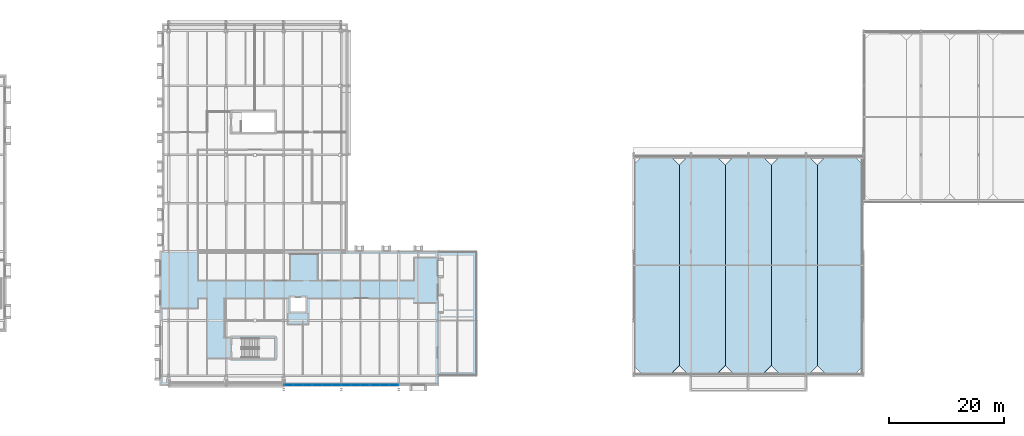
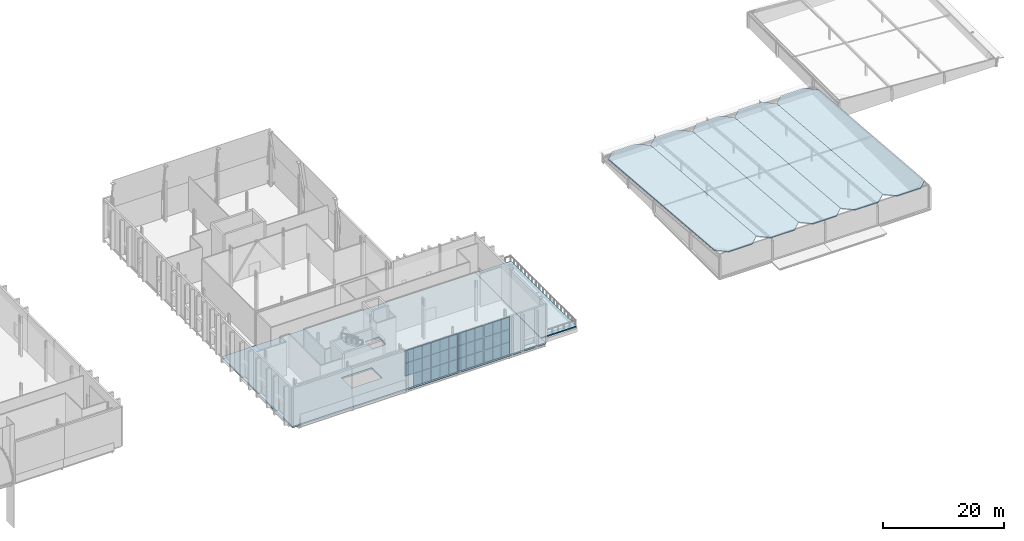
# One storey, part 41 of 79: 35 plates, 7 slabs, 5 elements without a shape of their own.
"""IFC4 building model written with IfcOpenShell, lengths in metres."""

from ifc_helpers import new_model, si_unit, direction, frame, origin, origin_2d, place, context, subcontext, project, spatial, polyline, rectangle, outline, extrude, material, layer, layer_set, type_object, element, aggregate, save


model = new_model("IFC4")

# Units and contexts
model_context = context("Model", 3, precision=1e-05, world=origin(), true_north=direction((0.0, 1.0)))
body_context = subcontext(model_context, "Body", "Model", "MODEL_VIEW")
ifc_project = project(units=[si_unit("LENGTHUNIT", "METRE"), si_unit("AREAUNIT", "SQUARE_METRE"), si_unit("VOLUMEUNIT", "CUBIC_METRE"), si_unit("PLANEANGLEUNIT", "RADIAN"), si_unit("MASSUNIT", "GRAM", prefix="KILO")], contexts=[model_context])

# Site, building, storey
site_placement = place(None, origin())
site = spatial("IfcSite", under=ifc_project, at=site_placement, CompositionType="ELEMENT")
building_placement = place(site_placement, origin())
building = spatial("IfcBuilding", under=site, at=building_placement, Name="Zereglee Splitstone Museum", CompositionType="ELEMENT")
storey_placement = place(building_placement, frame((0.0, 0.0, 9.0)))
storey = spatial("IfcBuildingStorey", under=building, at=storey_placement, Name="L02", CompositionType="ELEMENT", Elevation=9.0)

# Curtain wall, plates
ifc_material_1 = material(Name="Triple-glazed low-E argon glass and bronze-anodised aluminium", Category="aluminium")
ifc_layer_1 = layer(ifc_material_1, 0.219970703125)
ifc_layer_set_1 = layer_set([ifc_layer_1], Name="Triple-glazed low-E argon glass and bronze-anodised aluminium")
curtain_wall_type_1 = type_object("IfcCurtainWallType", Name="CW-0496-780", PredefinedType="USERDEFINED", material=ifc_layer_set_1)
curtain_wall_1_placement = place(storey_placement, origin())
curtain_wall_1 = element("IfcCurtainWall", 1, at=curtain_wall_1_placement, inside=storey, type_object=curtain_wall_type_1, Name="Glazed Curtain Wall CW-0496-780 (L02)", ObjectType="GLAZED CURTAIN WALL", PredefinedType="USERDEFINED")
ifc_material_2 = material(Name="Triple low-e argon insulated safety glass", Category="glass")
ifc_layer_2 = layer(ifc_material_2, 0.035888671875)
ifc_layer_set_2 = layer_set([ifc_layer_2], Name="Triple low-e argon insulated safety glass")
plate_type = type_object("IfcPlateType", Name="CWP-01", PredefinedType="CURTAIN_PANEL", material=ifc_layer_set_2)
plate_1_placement = place(storey_placement, frame((196.04541015625, -1.60009765625, 2.637451171875), z_axis=(0.0, 0.0, 1.0), x_axis=(1.0, 0.0, 0.0)))
plate_1 = element("IfcPlate", 2, at=plate_1_placement, type_object=plate_type, Name="CW-0496-780 panel 1.2", PredefinedType="CURTAIN_PANEL", context=body_context, shape_type="SweptSolid", body=[
    extrude(rectangle(XDim=1.540771484375, YDim=0.035888671875, at=origin_2d()), origin(), (0.0, 0.0, 1.0), 2.52490234375),
])
plate_2_placement = place(storey_placement, frame((196.04541015625, -1.60009765625, 5.2373046875), z_axis=(0.0, 0.0, 1.0), x_axis=(1.0, 0.0, 0.0)))
plate_2 = element("IfcPlate", 3, at=plate_2_placement, type_object=plate_type, Name="CW-0496-780 panel 1.3", PredefinedType="CURTAIN_PANEL", context=body_context, shape_type="SweptSolid", body=[
    extrude(rectangle(XDim=1.540771484375, YDim=0.035888671875, at=origin_2d()), origin(), (0.0, 0.0, 1.0), 2.487548828125),
])
plate_3_placement = place(storey_placement, frame((197.679931640625, -1.60009765625, 0.0751953125), z_axis=(0.0, 0.0, 1.0), x_axis=(1.0, 0.0, 0.0)))
plate_3 = element("IfcPlate", 4, at=plate_3_placement, type_object=plate_type, Name="CW-0496-780 panel 2.1", PredefinedType="CURTAIN_PANEL", context=body_context, shape_type="SweptSolid", body=[
    extrude(rectangle(XDim=1.578369140625, YDim=0.035888671875, at=origin_2d()), origin(), (0.0, 0.0, 1.0), 2.487548828125),
])
plate_4_placement = place(storey_placement, frame((197.679931640625, -1.60009765625, 2.637451171875), z_axis=(0.0, 0.0, 1.0), x_axis=(1.0, 0.0, 0.0)))
plate_4 = element("IfcPlate", 5, at=plate_4_placement, type_object=plate_type, Name="CW-0496-780 panel 2.2", PredefinedType="CURTAIN_PANEL", context=body_context, shape_type="SweptSolid", body=[
    extrude(rectangle(XDim=1.578369140625, YDim=0.035888671875, at=origin_2d()), origin(), (0.0, 0.0, 1.0), 2.52490234375),
])
plate_5_placement = place(storey_placement, frame((197.679931640625, -1.60009765625, 5.2373046875), z_axis=(0.0, 0.0, 1.0), x_axis=(1.0, 0.0, 0.0)))
plate_5 = element("IfcPlate", 6, at=plate_5_placement, type_object=plate_type, Name="CW-0496-780 panel 2.3", PredefinedType="CURTAIN_PANEL", context=body_context, shape_type="SweptSolid", body=[
    extrude(rectangle(XDim=1.578369140625, YDim=0.035888671875, at=origin_2d()), origin(), (0.0, 0.0, 1.0), 2.487548828125),
])
plate_6_placement = place(storey_placement, frame((199.314697265625, -1.60009765625, 0.0751953125), z_axis=(0.0, 0.0, 1.0), x_axis=(1.0, 0.0, 0.0)))
plate_6 = element("IfcPlate", 7, at=plate_6_placement, type_object=plate_type, Name="CW-0496-780 panel 3.1", PredefinedType="CURTAIN_PANEL", context=body_context, shape_type="SweptSolid", body=[
    extrude(rectangle(XDim=1.540771484375, YDim=0.035888671875, at=origin_2d()), origin(), (0.0, 0.0, 1.0), 2.487548828125),
])
plate_7_placement = place(storey_placement, frame((199.314697265625, -1.60009765625, 2.637451171875), z_axis=(0.0, 0.0, 1.0), x_axis=(1.0, 0.0, 0.0)))
plate_7 = element("IfcPlate", 8, at=plate_7_placement, type_object=plate_type, Name="CW-0496-780 panel 3.2", PredefinedType="CURTAIN_PANEL", context=body_context, shape_type="SweptSolid", body=[
    extrude(rectangle(XDim=1.540771484375, YDim=0.035888671875, at=origin_2d()), origin(), (0.0, 0.0, 1.0), 2.52490234375),
])
plate_8_placement = place(storey_placement, frame((199.314697265625, -1.60009765625, 5.2373046875), z_axis=(0.0, 0.0, 1.0), x_axis=(1.0, 0.0, 0.0)))
plate_8 = element("IfcPlate", 9, at=plate_8_placement, type_object=plate_type, Name="CW-0496-780 panel 3.3", PredefinedType="CURTAIN_PANEL", context=body_context, shape_type="SweptSolid", body=[
    extrude(rectangle(XDim=1.540771484375, YDim=0.035888671875, at=origin_2d()), origin(), (0.0, 0.0, 1.0), 2.487548828125),
])
aggregate(curtain_wall_1, [plate_1, plate_2, plate_3, plate_4, plate_5, plate_6, plate_7, plate_8])

ifc_layer_3 = layer(ifc_material_1, 0.219970703125)
ifc_layer_set_3 = layer_set([ifc_layer_3], Name="Triple-glazed low-E argon glass and bronze-anodised aluminium")
curtain_wall_type_2 = type_object("IfcCurtainWallType", Name="CW-0496-778", PredefinedType="USERDEFINED", material=ifc_layer_set_3)
curtain_wall_2_placement = place(storey_placement, origin())
curtain_wall_2 = element("IfcCurtainWall", 10, at=curtain_wall_2_placement, inside=storey, type_object=curtain_wall_type_2, Name="Glazed Curtain Wall CW-0496-778 (L02)", ObjectType="GLAZED CURTAIN WALL", PredefinedType="USERDEFINED")
plate_9_placement = place(storey_placement, frame((201.08544921875, -1.60009765625, 0.0751953125), z_axis=(0.0, 0.0, 1.0), x_axis=(1.0, 0.0, 0.0)))
plate_9 = element("IfcPlate", 11, at=plate_9_placement, type_object=plate_type, Name="CW-0496-778 panel 1.1", PredefinedType="CURTAIN_PANEL", context=body_context, shape_type="SweptSolid", body=[
    extrude(rectangle(XDim=1.540771484375, YDim=0.035888671875, at=origin_2d()), origin(), (0.0, 0.0, 1.0), 2.480712890625),
])
plate_10_placement = place(storey_placement, frame((201.08544921875, -1.60009765625, 2.630859375), z_axis=(0.0, 0.0, 1.0), x_axis=(1.0, 0.0, 0.0)))
plate_10 = element("IfcPlate", 12, at=plate_10_placement, type_object=plate_type, Name="CW-0496-778 panel 1.2", PredefinedType="CURTAIN_PANEL", context=body_context, shape_type="SweptSolid", body=[
    extrude(rectangle(XDim=1.540771484375, YDim=0.035888671875, at=origin_2d()), origin(), (0.0, 0.0, 1.0), 2.518310546875),
])
plate_11_placement = place(storey_placement, frame((201.08544921875, -1.60009765625, 5.22412109375), z_axis=(0.0, 0.0, 1.0), x_axis=(1.0, 0.0, 0.0)))
plate_11 = element("IfcPlate", 13, at=plate_11_placement, type_object=plate_type, Name="CW-0496-778 panel 1.3", PredefinedType="CURTAIN_PANEL", context=body_context, shape_type="SweptSolid", body=[
    extrude(rectangle(XDim=1.540771484375, YDim=0.035888671875, at=origin_2d()), origin(), (0.0, 0.0, 1.0), 2.480712890625),
])
plate_12_placement = place(storey_placement, frame((202.719970703125, -1.60009765625, 0.0751953125), z_axis=(0.0, 0.0, 1.0), x_axis=(1.0, 0.0, 0.0)))
plate_12 = element("IfcPlate", 14, at=plate_12_placement, type_object=plate_type, Name="CW-0496-778 panel 2.1", PredefinedType="CURTAIN_PANEL", context=body_context, shape_type="SweptSolid", body=[
    extrude(rectangle(XDim=1.578369140625, YDim=0.035888671875, at=origin_2d()), origin(), (0.0, 0.0, 1.0), 2.480712890625),
])
plate_13_placement = place(storey_placement, frame((202.719970703125, -1.60009765625, 2.630859375), z_axis=(0.0, 0.0, 1.0), x_axis=(1.0, 0.0, 0.0)))
plate_13 = element("IfcPlate", 15, at=plate_13_placement, type_object=plate_type, Name="CW-0496-778 panel 2.2", PredefinedType="CURTAIN_PANEL", context=body_context, shape_type="SweptSolid", body=[
    extrude(rectangle(XDim=1.578369140625, YDim=0.035888671875, at=origin_2d()), origin(), (0.0, 0.0, 1.0), 2.518310546875),
])
plate_14_placement = place(storey_placement, frame((202.719970703125, -1.60009765625, 5.22412109375), z_axis=(0.0, 0.0, 1.0), x_axis=(1.0, 0.0, 0.0)))
plate_14 = element("IfcPlate", 16, at=plate_14_placement, type_object=plate_type, Name="CW-0496-778 panel 2.3", PredefinedType="CURTAIN_PANEL", context=body_context, shape_type="SweptSolid", body=[
    extrude(rectangle(XDim=1.578369140625, YDim=0.035888671875, at=origin_2d()), origin(), (0.0, 0.0, 1.0), 2.480712890625),
])
plate_15_placement = place(storey_placement, frame((204.3544921875, -1.60009765625, 0.0751953125), z_axis=(0.0, 0.0, 1.0), x_axis=(1.0, 0.0, 0.0)))
plate_15 = element("IfcPlate", 17, at=plate_15_placement, type_object=plate_type, Name="CW-0496-778 panel 3.1", PredefinedType="CURTAIN_PANEL", context=body_context, shape_type="SweptSolid", body=[
    extrude(rectangle(XDim=1.540771484375, YDim=0.035888671875, at=origin_2d()), origin(), (0.0, 0.0, 1.0), 2.480712890625),
])
plate_16_placement = place(storey_placement, frame((204.3544921875, -1.60009765625, 2.630859375), z_axis=(0.0, 0.0, 1.0), x_axis=(1.0, 0.0, 0.0)))
plate_16 = element("IfcPlate", 18, at=plate_16_placement, type_object=plate_type, Name="CW-0496-778 panel 3.2", PredefinedType="CURTAIN_PANEL", context=body_context, shape_type="SweptSolid", body=[
    extrude(rectangle(XDim=1.540771484375, YDim=0.035888671875, at=origin_2d()), origin(), (0.0, 0.0, 1.0), 2.518310546875),
])
plate_17_placement = place(storey_placement, frame((204.3544921875, -1.60009765625, 5.22412109375), z_axis=(0.0, 0.0, 1.0), x_axis=(1.0, 0.0, 0.0)))
plate_17 = element("IfcPlate", 19, at=plate_17_placement, type_object=plate_type, Name="CW-0496-778 panel 3.3", PredefinedType="CURTAIN_PANEL", context=body_context, shape_type="SweptSolid", body=[
    extrude(rectangle(XDim=1.540771484375, YDim=0.035888671875, at=origin_2d()), origin(), (0.0, 0.0, 1.0), 2.480712890625),
])
aggregate(curtain_wall_2, [plate_9, plate_10, plate_11, plate_12, plate_13, plate_14, plate_15, plate_16, plate_17])

ifc_layer_4 = layer(ifc_material_1, 0.219970703125)
ifc_layer_set_4 = layer_set([ifc_layer_4], Name="Triple-glazed low-E argon glass and bronze-anodised aluminium")
curtain_wall_type_3 = type_object("IfcCurtainWallType", Name="CW-0496-774", PredefinedType="USERDEFINED", material=ifc_layer_set_4)
curtain_wall_3_placement = place(storey_placement, origin())
curtain_wall_3 = element("IfcCurtainWall", 20, at=curtain_wall_3_placement, inside=storey, type_object=curtain_wall_type_3, Name="Glazed Curtain Wall CW-0496-774 (L02)", ObjectType="GLAZED CURTAIN WALL", PredefinedType="USERDEFINED")
plate_18_placement = place(storey_placement, frame((206.04541015625, -1.60009765625, 0.0751953125), z_axis=(0.0, 0.0, 1.0), x_axis=(1.0, 0.0, 0.0)))
plate_18 = element("IfcPlate", 21, at=plate_18_placement, type_object=plate_type, Name="CW-0496-774 panel 1.1", PredefinedType="CURTAIN_PANEL", context=body_context, shape_type="SweptSolid", body=[
    extrude(rectangle(XDim=1.540771484375, YDim=0.035888671875, at=origin_2d()), origin(), (0.0, 0.0, 1.0), 2.467529296875),
])
plate_19_placement = place(storey_placement, frame((206.04541015625, -1.60009765625, 2.61767578125), z_axis=(0.0, 0.0, 1.0), x_axis=(1.0, 0.0, 0.0)))
plate_19 = element("IfcPlate", 22, at=plate_19_placement, type_object=plate_type, Name="CW-0496-774 panel 1.2", PredefinedType="CURTAIN_PANEL", context=body_context, shape_type="SweptSolid", body=[
    extrude(rectangle(XDim=1.540771484375, YDim=0.035888671875, at=origin_2d()), origin(), (0.0, 0.0, 1.0), 2.5048828125),
])
plate_20_placement = place(storey_placement, frame((206.04541015625, -1.60009765625, 5.197265625), z_axis=(0.0, 0.0, 1.0), x_axis=(1.0, 0.0, 0.0)))
plate_20 = element("IfcPlate", 23, at=plate_20_placement, type_object=plate_type, Name="CW-0496-774 panel 1.3", PredefinedType="CURTAIN_PANEL", context=body_context, shape_type="SweptSolid", body=[
    extrude(rectangle(XDim=1.540771484375, YDim=0.035888671875, at=origin_2d()), origin(), (0.0, 0.0, 1.0), 2.467529296875),
])
plate_21_placement = place(storey_placement, frame((207.679931640625, -1.60009765625, 0.0751953125), z_axis=(0.0, 0.0, 1.0), x_axis=(1.0, 0.0, 0.0)))
plate_21 = element("IfcPlate", 24, at=plate_21_placement, type_object=plate_type, Name="CW-0496-774 panel 2.1", PredefinedType="CURTAIN_PANEL", context=body_context, shape_type="SweptSolid", body=[
    extrude(rectangle(XDim=1.578369140625, YDim=0.035888671875, at=origin_2d()), origin(), (0.0, 0.0, 1.0), 2.467529296875),
])
plate_22_placement = place(storey_placement, frame((207.679931640625, -1.60009765625, 2.61767578125), z_axis=(0.0, 0.0, 1.0), x_axis=(1.0, 0.0, 0.0)))
plate_22 = element("IfcPlate", 25, at=plate_22_placement, type_object=plate_type, Name="CW-0496-774 panel 2.2", PredefinedType="CURTAIN_PANEL", context=body_context, shape_type="SweptSolid", body=[
    extrude(rectangle(XDim=1.578369140625, YDim=0.035888671875, at=origin_2d()), origin(), (0.0, 0.0, 1.0), 2.5048828125),
])
plate_23_placement = place(storey_placement, frame((207.679931640625, -1.60009765625, 5.197265625), z_axis=(0.0, 0.0, 1.0), x_axis=(1.0, 0.0, 0.0)))
plate_23 = element("IfcPlate", 26, at=plate_23_placement, type_object=plate_type, Name="CW-0496-774 panel 2.3", PredefinedType="CURTAIN_PANEL", context=body_context, shape_type="SweptSolid", body=[
    extrude(rectangle(XDim=1.578369140625, YDim=0.035888671875, at=origin_2d()), origin(), (0.0, 0.0, 1.0), 2.467529296875),
])
plate_24_placement = place(storey_placement, frame((209.314697265625, -1.60009765625, 0.0751953125), z_axis=(0.0, 0.0, 1.0), x_axis=(1.0, 0.0, 0.0)))
plate_24 = element("IfcPlate", 27, at=plate_24_placement, type_object=plate_type, Name="CW-0496-774 panel 3.1", PredefinedType="CURTAIN_PANEL", context=body_context, shape_type="SweptSolid", body=[
    extrude(rectangle(XDim=1.540771484375, YDim=0.035888671875, at=origin_2d()), origin(), (0.0, 0.0, 1.0), 2.467529296875),
])
plate_25_placement = place(storey_placement, frame((209.314697265625, -1.60009765625, 2.61767578125), z_axis=(0.0, 0.0, 1.0), x_axis=(1.0, 0.0, 0.0)))
plate_25 = element("IfcPlate", 28, at=plate_25_placement, type_object=plate_type, Name="CW-0496-774 panel 3.2", PredefinedType="CURTAIN_PANEL", context=body_context, shape_type="SweptSolid", body=[
    extrude(rectangle(XDim=1.540771484375, YDim=0.035888671875, at=origin_2d()), origin(), (0.0, 0.0, 1.0), 2.5048828125),
])
plate_26_placement = place(storey_placement, frame((209.314697265625, -1.60009765625, 5.197265625), z_axis=(0.0, 0.0, 1.0), x_axis=(1.0, 0.0, 0.0)))
plate_26 = element("IfcPlate", 29, at=plate_26_placement, type_object=plate_type, Name="CW-0496-774 panel 3.3", PredefinedType="CURTAIN_PANEL", context=body_context, shape_type="SweptSolid", body=[
    extrude(rectangle(XDim=1.540771484375, YDim=0.035888671875, at=origin_2d()), origin(), (0.0, 0.0, 1.0), 2.467529296875),
])
aggregate(curtain_wall_3, [plate_18, plate_19, plate_20, plate_21, plate_22, plate_23, plate_24, plate_25, plate_26])

ifc_layer_5 = layer(ifc_material_1, 0.219970703125)
ifc_layer_set_5 = layer_set([ifc_layer_5], Name="Triple-glazed low-E argon glass and bronze-anodised aluminium")
curtain_wall_type_4 = type_object("IfcCurtainWallType", Name="CW-0496-772", PredefinedType="USERDEFINED", material=ifc_layer_set_5)
curtain_wall_4_placement = place(storey_placement, origin())
curtain_wall_4 = element("IfcCurtainWall", 30, at=curtain_wall_4_placement, inside=storey, type_object=curtain_wall_type_4, Name="Glazed Curtain Wall CW-0496-772 (L02)", ObjectType="GLAZED CURTAIN WALL", PredefinedType="USERDEFINED")
plate_27_placement = place(storey_placement, frame((211.08544921875, -1.60009765625, 0.0751953125), z_axis=(0.0, 0.0, 1.0), x_axis=(1.0, 0.0, 0.0)))
plate_27 = element("IfcPlate", 31, at=plate_27_placement, type_object=plate_type, Name="CW-0496-772 panel 1.1", PredefinedType="CURTAIN_PANEL", context=body_context, shape_type="SweptSolid", body=[
    extrude(rectangle(XDim=1.540771484375, YDim=0.035888671875, at=origin_2d()), origin(), (0.0, 0.0, 1.0), 2.460693359375),
])
plate_28_placement = place(storey_placement, frame((211.08544921875, -1.60009765625, 2.61083984375), z_axis=(0.0, 0.0, 1.0), x_axis=(1.0, 0.0, 0.0)))
plate_28 = element("IfcPlate", 32, at=plate_28_placement, type_object=plate_type, Name="CW-0496-772 panel 1.2", PredefinedType="CURTAIN_PANEL", context=body_context, shape_type="SweptSolid", body=[
    extrude(rectangle(XDim=1.540771484375, YDim=0.035888671875, at=origin_2d()), origin(), (0.0, 0.0, 1.0), 2.498291015625),
])
plate_29_placement = place(storey_placement, frame((211.08544921875, -1.60009765625, 5.18408203125), z_axis=(0.0, 0.0, 1.0), x_axis=(1.0, 0.0, 0.0)))
plate_29 = element("IfcPlate", 33, at=plate_29_placement, type_object=plate_type, Name="CW-0496-772 panel 1.3", PredefinedType="CURTAIN_PANEL", context=body_context, shape_type="SweptSolid", body=[
    extrude(rectangle(XDim=1.540771484375, YDim=0.035888671875, at=origin_2d()), origin(), (0.0, 0.0, 1.0), 2.460693359375),
])
plate_30_placement = place(storey_placement, frame((212.719970703125, -1.60009765625, 0.0751953125), z_axis=(0.0, 0.0, 1.0), x_axis=(1.0, 0.0, 0.0)))
plate_30 = element("IfcPlate", 34, at=plate_30_placement, type_object=plate_type, Name="CW-0496-772 panel 2.1", PredefinedType="CURTAIN_PANEL", context=body_context, shape_type="SweptSolid", body=[
    extrude(rectangle(XDim=1.578369140625, YDim=0.035888671875, at=origin_2d()), origin(), (0.0, 0.0, 1.0), 2.460693359375),
])
plate_31_placement = place(storey_placement, frame((212.719970703125, -1.60009765625, 2.61083984375), z_axis=(0.0, 0.0, 1.0), x_axis=(1.0, 0.0, 0.0)))
plate_31 = element("IfcPlate", 35, at=plate_31_placement, type_object=plate_type, Name="CW-0496-772 panel 2.2", PredefinedType="CURTAIN_PANEL", context=body_context, shape_type="SweptSolid", body=[
    extrude(rectangle(XDim=1.578369140625, YDim=0.035888671875, at=origin_2d()), origin(), (0.0, 0.0, 1.0), 2.498291015625),
])
plate_32_placement = place(storey_placement, frame((212.719970703125, -1.60009765625, 5.18408203125), z_axis=(0.0, 0.0, 1.0), x_axis=(1.0, 0.0, 0.0)))
plate_32 = element("IfcPlate", 36, at=plate_32_placement, type_object=plate_type, Name="CW-0496-772 panel 2.3", PredefinedType="CURTAIN_PANEL", context=body_context, shape_type="SweptSolid", body=[
    extrude(rectangle(XDim=1.578369140625, YDim=0.035888671875, at=origin_2d()), origin(), (0.0, 0.0, 1.0), 2.460693359375),
])
plate_33_placement = place(storey_placement, frame((214.3544921875, -1.60009765625, 0.0751953125), z_axis=(0.0, 0.0, 1.0), x_axis=(1.0, 0.0, 0.0)))
plate_33 = element("IfcPlate", 37, at=plate_33_placement, type_object=plate_type, Name="CW-0496-772 panel 3.1", PredefinedType="CURTAIN_PANEL", context=body_context, shape_type="SweptSolid", body=[
    extrude(rectangle(XDim=1.540771484375, YDim=0.035888671875, at=origin_2d()), origin(), (0.0, 0.0, 1.0), 2.460693359375),
])
plate_34_placement = place(storey_placement, frame((214.3544921875, -1.60009765625, 2.61083984375), z_axis=(0.0, 0.0, 1.0), x_axis=(1.0, 0.0, 0.0)))
plate_34 = element("IfcPlate", 38, at=plate_34_placement, type_object=plate_type, Name="CW-0496-772 panel 3.2", PredefinedType="CURTAIN_PANEL", context=body_context, shape_type="SweptSolid", body=[
    extrude(rectangle(XDim=1.540771484375, YDim=0.035888671875, at=origin_2d()), origin(), (0.0, 0.0, 1.0), 2.498291015625),
])
plate_35_placement = place(storey_placement, frame((214.3544921875, -1.60009765625, 5.18408203125), z_axis=(0.0, 0.0, 1.0), x_axis=(1.0, 0.0, 0.0)))
plate_35 = element("IfcPlate", 39, at=plate_35_placement, type_object=plate_type, Name="CW-0496-772 panel 3.3", PredefinedType="CURTAIN_PANEL", context=body_context, shape_type="SweptSolid", body=[
    extrude(rectangle(XDim=1.540771484375, YDim=0.035888671875, at=origin_2d()), origin(), (0.0, 0.0, 1.0), 2.460693359375),
])
aggregate(curtain_wall_4, [plate_27, plate_28, plate_29, plate_30, plate_31, plate_32, plate_33, plate_34, plate_35])

# Slab
ifc_material_3 = material(Name="Concrete C35/45", Category="concrete")
ifc_layer_6 = layer(ifc_material_3, 0.320068359375)
ifc_layer_set_6 = layer_set([ifc_layer_6], Name="Concrete C35/45")
slab_type_1 = type_object("IfcSlabType", Name="FS-03", PredefinedType="FLOOR", material=ifc_layer_set_6)
slab_1_placement = place(storey_placement, frame((0.0, 0.0, -0.320068359375)))
element("IfcSlab", 40, at=slab_1_placement, inside=storey, type_object=slab_type_1, Name="Gallery Floor Slab L02-V3", PredefinedType="FLOOR", context=body_context, shape_type="SweptSolid", body=[
    extrude(outline(polyline([(173.800048828125, -1.60009765625), (222.0, -1.60009765625), (222.0, 21.60009765625), (173.800048828125, 21.60009765625), (173.800048828125, -1.60009765625)]), holes=[polyline([(187.85400390625, 3.10009765625), (193.60009765625, 3.10009765625), (193.60009765625, 6.5), (187.85400390625, 6.5), (187.85400390625, 3.10009765625)]), polyline([(196.39990234375, 11.199951171875), (199.0, 11.199951171875), (199.0, 13.60009765625), (196.39990234375, 13.60009765625), (196.39990234375, 11.199951171875)])]), origin(), (0.0, 0.0, 1.0), 0.320068359375),
])

# Roof, slabs
ifc_material_4 = material(Name="Standing-seam zinc roofing on Concrete C35/45", Category="concrete")
ifc_layer_7 = layer(ifc_material_4, 0.219970703125)
ifc_layer_set_7 = layer_set([ifc_layer_7], Name="Concrete C35/45")
roof_type = type_object("IfcRoofType", Name="RF-A1", PredefinedType="SHED_ROOF", material=ifc_layer_set_7)
roof_placement = place(storey_placement, origin())
roof = element("IfcRoof", 41, at=roof_placement, inside=storey, type_object=roof_type, Name="Sloping Split-Rock Roof Assembly RF-V5", PredefinedType="SHED_ROOF")
ifc_layer_8 = layer(ifc_material_3, 0.179931640625)
ifc_layer_set_8 = layer_set([ifc_layer_8], Name="Concrete C35/45")
slab_type_2 = type_object("IfcSlabType", Name="RS-04", PredefinedType="ROOF", material=ifc_layer_set_8)
slab_2_placement = place(storey_placement, frame((257.760009765625, 0.0, 4.85009765625), z_axis=(0.0, 0.083050124872, 0.996545371149), x_axis=(1.0, 0.0, 0.0)))
slab_2 = element("IfcSlab", 42, at=slab_2_placement, type_object=slab_type_2, Name="Split-Rock Roof Slab RF-V5 Panel 1", PredefinedType="ROOF", context=body_context, shape_type="SweptSolid", body=[
    extrude(outline(polyline([(0.0, 0.0), (4.47998046875, 0.0), (6.239990234375, 1.7661154066557876), (6.239990234375, 36.76690614690458), (4.47998046875, 38.533021553560374), (0.0, 38.533021553560374), (-1.760009765625, 36.76690614690458), (-1.760009765625, 1.7661154066557876), (0.0, 0.0)])), origin(), (0.0, 0.0, -1.0), 0.179931640625),
])
slab_3_placement = place(storey_placement, frame((265.760009765625, 0.0, 4.85009765625), z_axis=(0.0, 0.083050124872, 0.996545371149), x_axis=(1.0, 0.0, 0.0)))
slab_3 = element("IfcSlab", 43, at=slab_3_placement, type_object=slab_type_2, Name="Split-Rock Roof Slab RF-V5 Panel 2", PredefinedType="ROOF", context=body_context, shape_type="SweptSolid", body=[
    extrude(outline(polyline([(0.0, 0.0), (4.47998046875, 0.0), (6.239990234375, 1.7661154066557876), (6.239990234375, 36.76690614690458), (4.47998046875, 38.533021553560374), (0.0, 38.533021553560374), (-1.760009765625, 36.76690614690458), (-1.760009765625, 1.7661154066557876), (0.0, 0.0)])), origin(), (0.0, 0.0, -1.0), 0.179931640625),
])
slab_4_placement = place(storey_placement, frame((273.760009765625, 0.0, 4.85009765625), z_axis=(0.0, 0.083050124872, 0.996545371149), x_axis=(1.0, 0.0, 0.0)))
slab_4 = element("IfcSlab", 44, at=slab_4_placement, type_object=slab_type_2, Name="Split-Rock Roof Slab RF-V5 Panel 3", PredefinedType="ROOF", context=body_context, shape_type="SweptSolid", body=[
    extrude(outline(polyline([(0.0, 0.0), (4.47998046875, 0.0), (6.239990234375, 1.7661154066557876), (6.239990234375, 36.76690614690458), (4.47998046875, 38.533021553560374), (0.0, 38.533021553560374), (-1.760009765625, 36.76690614690458), (-1.760009765625, 1.7661154066557876), (0.0, 0.0)])), origin(), (0.0, 0.0, -1.0), 0.179931640625),
])
slab_5_placement = place(storey_placement, frame((281.760009765625, 0.0, 4.85009765625), z_axis=(0.0, 0.083050124872, 0.996545371149), x_axis=(1.0, 0.0, 0.0)))
slab_5 = element("IfcSlab", 45, at=slab_5_placement, type_object=slab_type_2, Name="Split-Rock Roof Slab RF-V5 Panel 4", PredefinedType="ROOF", context=body_context, shape_type="SweptSolid", body=[
    extrude(outline(polyline([(0.0, 0.0), (4.47998046875, 0.0), (6.239990234375, 1.7661154066557876), (6.239990234375, 36.76690614690458), (4.47998046875, 38.533021553560374), (0.0, 38.533021553560374), (-1.760009765625, 36.76690614690458), (-1.760009765625, 1.7661154066557876), (0.0, 0.0)])), origin(), (0.0, 0.0, -1.0), 0.179931640625),
])
slab_6_placement = place(storey_placement, frame((289.760009765625, 0.0, 4.85009765625), z_axis=(0.0, 0.083050124872, 0.996545371149), x_axis=(1.0, 0.0, 0.0)))
slab_6 = element("IfcSlab", 46, at=slab_6_placement, type_object=slab_type_2, Name="Split-Rock Roof Slab RF-V5 Panel 5", PredefinedType="ROOF", context=body_context, shape_type="SweptSolid", body=[
    extrude(outline(polyline([(0.0, 0.0), (4.47998046875, 0.0), (6.239990234375, 1.7661154066557876), (6.239990234375, 36.76690614690458), (4.47998046875, 38.533021553560374), (0.0, 38.533021553560374), (-1.760009765625, 36.76690614690458), (-1.760009765625, 1.7661154066557876), (0.0, 0.0)])), origin(), (0.0, 0.0, -1.0), 0.179931640625),
])
aggregate(roof, [slab_2, slab_3, slab_4, slab_5, slab_6])

# Slab
ifc_layer_9 = layer(ifc_material_3, 0.22998046875)
ifc_layer_set_9 = layer_set([ifc_layer_9], Name="Concrete C35/45")
slab_type_3 = type_object("IfcSlabType", Name="TS-02", PredefinedType="FLOOR", material=ifc_layer_set_9)
slab_7_placement = place(storey_placement, frame((0.0, 0.0, -0.22998046875)))
element("IfcSlab", 47, at=slab_7_placement, inside=storey, type_object=slab_type_3, Name="Outdoor Terrace Deck TER-L02-S1", PredefinedType="FLOOR", context=body_context, shape_type="SweptSolid", body=[
    extrude(outline(polyline([(222.0, 0.0), (228.800048828125, 0.0), (228.800048828125, 21.60009765625), (222.0, 21.60009765625), (222.0, 0.0)])), origin(), (0.0, 0.0, 1.0), 0.22998046875),
])

save(model, "model.ifc")
